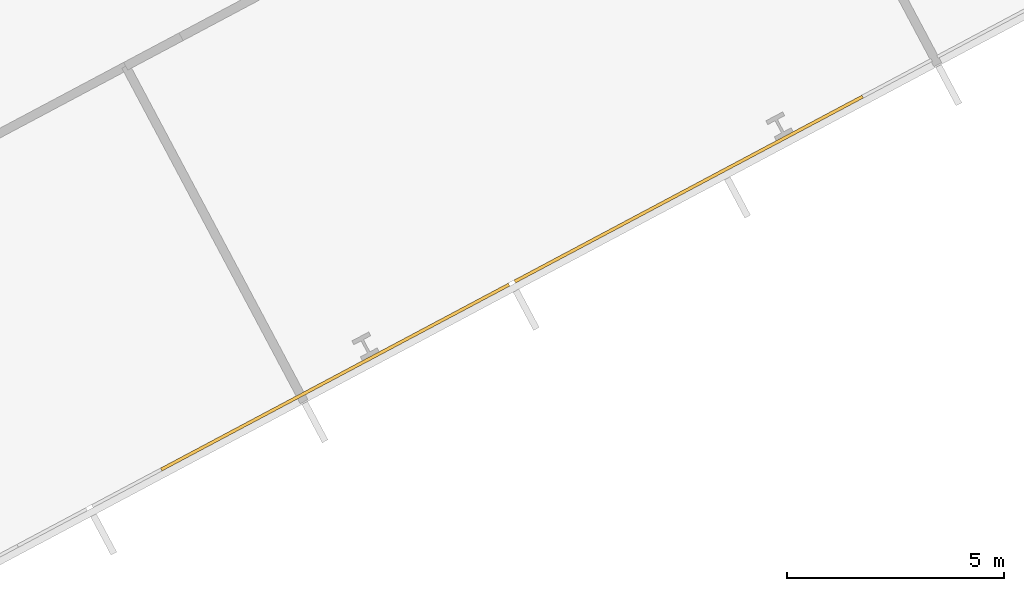
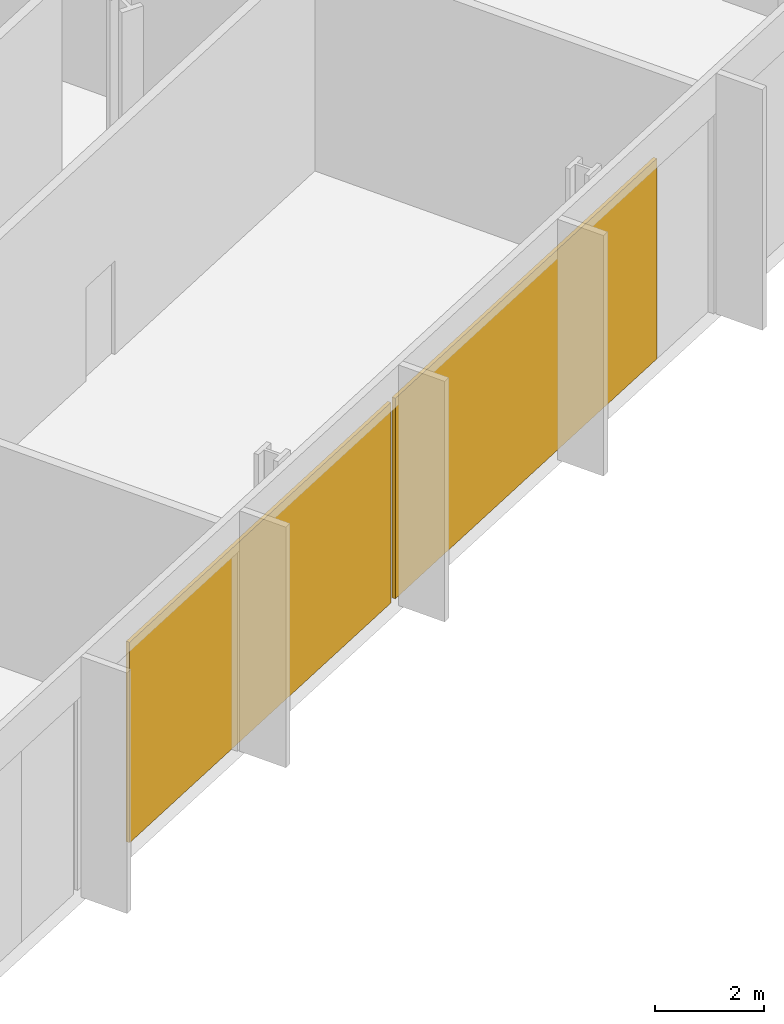
# One storey, part 27 of 30: 2 coverings, 1 element without a shape of its own.
"""IFC4 building model written with IfcOpenShell, lengths in metres."""

from ifc_helpers import new_model, si_unit, direction, frame, origin, origin_2d, place, context, subcontext, project, spatial, rectangle, extrude, material, layer, layer_set, type_object, element, aggregate, save


model = new_model("IFC4")

# Units and contexts
model_context = context("Model", 3, precision=1e-05, world=origin(), true_north=direction((0.0, 1.0)))
body_context = subcontext(model_context, "Body", "Model", "MODEL_VIEW")
ifc_project = project(units=[si_unit("LENGTHUNIT", "METRE"), si_unit("AREAUNIT", "SQUARE_METRE"), si_unit("VOLUMEUNIT", "CUBIC_METRE"), si_unit("PLANEANGLEUNIT", "RADIAN"), si_unit("MASSUNIT", "GRAM", prefix="KILO")], contexts=[model_context])

# Site, building, storey
site_placement = place(None, origin())
site = spatial("IfcSite", under=ifc_project, at=site_placement, CompositionType="ELEMENT")
building_placement = place(site_placement, origin())
building = spatial("IfcBuilding", under=site, at=building_placement, Name="Cormorant Relay Tower", CompositionType="ELEMENT")
storey_placement = place(building_placement, frame((0.0, 0.0, 44.60009765625)))
storey = spatial("IfcBuildingStorey", under=building, at=storey_placement, Name="L08", CompositionType="ELEMENT", Elevation=44.60009765625)

# Curtain wall, coverings
ifc_material_1 = material(Name="Aluminium 6063-T6 anodised bronze", Category="aluminium")
ifc_layer_1 = layer(ifc_material_1, 0.235107421875)
ifc_layer_set_1 = layer_set([ifc_layer_1], Name="CW6 data hall curtain wall with mineral wool panels")
curtain_wall_type = type_object("IfcCurtainWallType", Name="CW6 data hall curtain wall with mineral wool panels", PredefinedType="NOTDEFINED", material=ifc_layer_set_1)
curtain_wall_placement = place(storey_placement, origin())
curtain_wall = element("IfcCurtainWall", 1, at=curtain_wall_placement, inside=storey, type_object=curtain_wall_type, Name="CW6 curtain wall 2", PredefinedType="NOTDEFINED")
ifc_material_2 = material(Name="Mineral wool cored anodised bronze aluminium cassette panel", Category="aluminium")
ifc_layer_2 = layer(ifc_material_2, 0.074951171875)
ifc_layer_set_2 = layer_set([ifc_layer_2], Name="CW6 mineral wool cassette panel 75")
covering_type = type_object("IfcCoveringType", Name="CW6 mineral wool cassette panel 75", PredefinedType="CLADDING", material=ifc_layer_set_2)
covering_1_placement = place(storey_placement, frame((52.127685546875, 3.890380859375, 0.0), z_axis=(0.0, 0.0, 1.0), x_axis=(0.882947592859, 0.469471562786, 0.0)))
covering_1 = element("IfcCovering", 2, at=covering_1_placement, type_object=covering_type, Name="CW6 panel S10", PredefinedType="CLADDING", context=body_context, shape_type="SweptSolid", body=[
    extrude(rectangle(XDim=9.07373046875, YDim=0.074951171875, at=origin_2d()), origin(), (0.0, 0.0, 1.0), 4.5),
])
covering_2_placement = place(storey_placement, frame((60.27197265625, 8.220703125, 0.0), z_axis=(0.0, 0.0, 1.0), x_axis=(0.882947592859, 0.469471562786, 0.0)))
covering_2 = element("IfcCovering", 3, at=covering_2_placement, type_object=covering_type, Name="CW6 panel S11", PredefinedType="CLADDING", context=body_context, shape_type="SweptSolid", body=[
    extrude(rectangle(XDim=9.07373046875, YDim=0.074951171875, at=origin_2d()), origin(), (0.0, 0.0, 1.0), 4.5),
])
aggregate(curtain_wall, [covering_1, covering_2])

save(model, "model.ifc")
